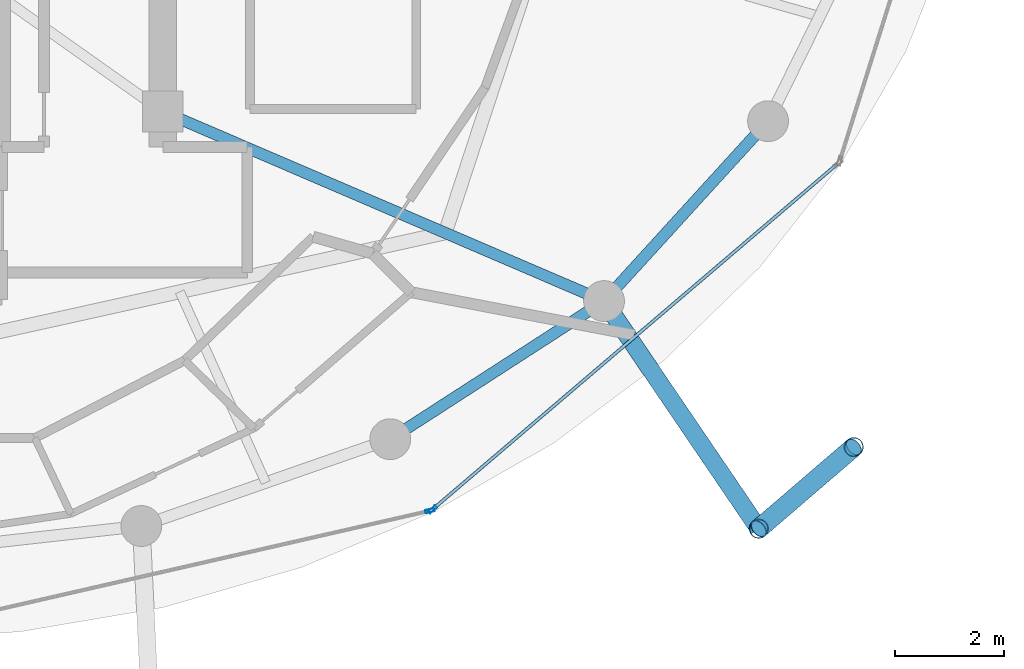
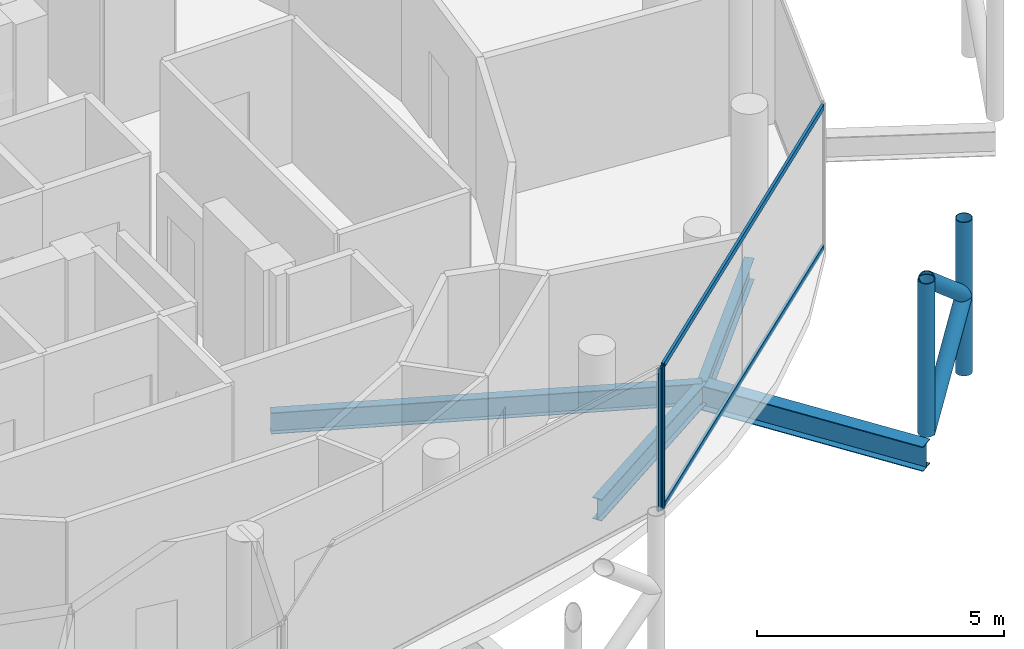
# One storey, part 9 of 24: 8 members, 4 beams, 2 elements without a shape of their own.
"""IFC4 building model written with IfcOpenShell, lengths in metres."""

import ifcopenshell
import ifcopenshell.guid

model = None  # the IFC model being written
_history = None  # IfcOwnerHistory: only IFC2X3 demands one
_inside = {}  # id of a spatial element -> (the spatial element, [elements in it])
_under = {}  # id of a project, library or spatial element -> (it, [spatial elements below it])
_declared = {}  # id of a project -> (the project, [libraries it declares])
_typed = {}  # id of a type object -> (the type object, [elements of that type])
_made_of = {}  # id of a material, layer set ... -> (it, [elements and type objects made of it])


def new_model(schema):
    """Start an empty IFC model of exactly this schema.

    Asked for "IFC4X3", IfcOpenShell would pick the latest addendum, in which some entities
    have other attributes; the version numbers below select the first issue.
    IFC2X3 requires an IfcOwnerHistory on every rooted entity: one is made here for all.
    """
    global model, _history
    if schema == "IFC4X3":
        model = ifcopenshell.file(schema_version=(4, 3, 0, 0))
    else:
        model = ifcopenshell.file(schema=schema)
    _inside.clear()
    _under.clear()
    _declared.clear()
    _typed.clear()
    _made_of.clear()
    _history = None
    if model.schema == "IFC2X3":
        org = make("IfcOrganization", Name="unknown")
        user = make(
            "IfcPersonAndOrganization",
            ThePerson=make("IfcPerson", FamilyName="unknown"),
            TheOrganization=org,
        )
        app = make(
            "IfcApplication",
            ApplicationDeveloper=org,
            Version="unknown",
            ApplicationFullName="unknown",
            ApplicationIdentifier="unknown",
        )
        _history = make(
            "IfcOwnerHistory",
            OwningUser=user,
            OwningApplication=app,
            ChangeAction="ADDED",
            CreationDate=0,
        )
    return model


def make(cls, **values):
    """One entity of the class cls with the attributes given. An attribute that is None is left unset."""
    return model.create_entity(
        cls, **{name: value for name, value in values.items() if value is not None}
    )


def rooted(cls, **values):
    """An entity with a GlobalId (a new one), such as an element, a storey or a relation."""
    return make(cls, GlobalId=ifcopenshell.guid.new(), OwnerHistory=_history, **values)


def si_unit(unit_type, name, prefix=None):
    """IfcSIUnit, for example si_unit("LENGTHUNIT", "METRE", prefix="MILLI")."""
    return make("IfcSIUnit", UnitType=unit_type, Prefix=prefix, Name=name)


def assignment(units):
    """IfcUnitAssignment: the units of a project."""
    return None if units is None else make("IfcUnitAssignment", Units=units)


def point(xyz):
    """IfcCartesianPoint."""
    return None if xyz is None else make("IfcCartesianPoint", Coordinates=xyz)


def direction(xyz):
    """IfcDirection."""
    return None if xyz is None else make("IfcDirection", DirectionRatios=xyz)


def frame(location, z_axis=None, x_axis=None):
    """IfcAxis2Placement3D, a coordinate frame: its origin and axes. An axis left out is left unset."""
    return make(
        "IfcAxis2Placement3D",
        Location=point(location),
        Axis=direction(z_axis),
        RefDirection=direction(x_axis),
    )


def frame_2d(location, x_axis=None):
    """IfcAxis2Placement2D, a coordinate frame in the plane: its origin and x axis."""
    return make(
        "IfcAxis2Placement2D", Location=point(location), RefDirection=direction(x_axis)
    )


def origin():
    """The frame at (0, 0, 0) with its axes left unset."""
    return frame((0.0, 0.0, 0.0))


def origin_2d():
    """The frame at (0, 0) in the plane with its x axis left unset."""
    return frame_2d((0.0, 0.0))


def place(relative_to, where):
    """IfcLocalPlacement: puts the frame where relative to a parent placement (None: the world)."""
    return make(
        "IfcLocalPlacement", PlacementRelTo=relative_to, RelativePlacement=where
    )


def context(
    kind, dimensions, precision=None, world=None, true_north=None, identifier=None
):
    """IfcGeometricRepresentationContext, for example the 3D "Model" context."""
    return make(
        "IfcGeometricRepresentationContext",
        ContextIdentifier=identifier,
        ContextType=kind,
        CoordinateSpaceDimension=dimensions,
        Precision=precision,
        WorldCoordinateSystem=world,
        TrueNorth=true_north,
    )


def subcontext(parent, identifier, kind, view, scale=None):
    """IfcGeometricRepresentationSubContext, for example "Body" below "Model"."""
    return make(
        "IfcGeometricRepresentationSubContext",
        ContextIdentifier=identifier,
        ContextType=kind,
        ParentContext=parent,
        TargetScale=scale,
        TargetView=view,
    )


def project(units=None, contexts=None):
    """IfcProject with its units and contexts."""
    return rooted(
        "IfcProject",
        Name="project",
        RepresentationContexts=contexts,
        UnitsInContext=assignment(units),
    )


def spatial(cls, under=None, at=None, **own):
    """A site, building, storey or space (cls), placed at a placement, below another one or the project."""
    s = rooted(cls, ObjectPlacement=at, **own)
    if under is not None:
        _under.setdefault(under.id(), (under, []))[1].append(s)
    return s


def profile(cls, at=None, kind="AREA", **sizes):
    """A parametric profile (cls). Its sizes go by their IFC names, for example OverallWidth=200.0."""
    return make(cls, ProfileType=kind, Position=at, **sizes)


def hollow_rectangle(**sizes):
    """IfcRectangleHollowProfileDef."""
    return profile("IfcRectangleHollowProfileDef", **sizes)


def hollow_circle(**sizes):
    """IfcCircleHollowProfileDef."""
    return profile("IfcCircleHollowProfileDef", **sizes)


def i_section(**sizes):
    """IfcIShapeProfileDef."""
    return profile("IfcIShapeProfileDef", **sizes)


def extrude(swept, where, along, depth):
    """IfcExtrudedAreaSolid: the profile swept, set in the frame where, extruded along a direction by depth."""
    return make(
        "IfcExtrudedAreaSolid",
        SweptArea=swept,
        Position=where,
        ExtrudedDirection=direction(along),
        Depth=depth,
    )


def shape(context_of_items, identifier, shape_type, items):
    """IfcShapeRepresentation: the items that make up one representation, for example the "Body"."""
    return make(
        "IfcShapeRepresentation",
        ContextOfItems=context_of_items,
        RepresentationIdentifier=identifier,
        RepresentationType=shape_type,
        Items=items,
    )


def material(Name=None, Category=None):
    """IfcMaterial."""
    return make("IfcMaterial", Name=Name, Category=Category)


def layer(
    of_material, thickness, ventilated=None, Name=None, Category=None, Priority=None
):
    """IfcMaterialLayer: one layer of a wall or slab, of a material (None: an air gap)."""
    return make(
        "IfcMaterialLayer",
        Material=of_material,
        LayerThickness=thickness,
        IsVentilated=ventilated,
        Name=Name,
        Category=Category,
        Priority=Priority,
    )


def layer_set(layers, Name=None):
    """IfcMaterialLayerSet."""
    return make("IfcMaterialLayerSet", MaterialLayers=layers, LayerSetName=Name)


def material_profile(
    of_material, cross_section, Name=None, Category=None, Priority=None
):
    """IfcMaterialProfile: a cross section and its material."""
    return make(
        "IfcMaterialProfile",
        Name=Name,
        Material=of_material,
        Profile=cross_section,
        Priority=Priority,
        Category=Category,
    )


def profile_set(profiles, Name=None, composite=None):
    """IfcMaterialProfileSet."""
    return make(
        "IfcMaterialProfileSet",
        Name=Name,
        MaterialProfiles=profiles,
        CompositeProfile=composite,
    )


def made_of(thing, what):
    """Note that an element or type object is made of a material, layer set ...; save() writes the relation."""
    if what is not None:
        _made_of.setdefault(what.id(), (what, []))[1].append(thing)
    return thing


def type_object(cls, material=None, **own):
    """A type object (cls), such as IfcWallType, which elements share."""
    return made_of(rooted(cls, **own), material)


def element(
    cls,
    number,
    at=None,
    inside=None,
    cuts=None,
    type_object=None,
    material=None,
    context=None,
    identifier="Body",
    shape_type=None,
    held_by="IfcProductDefinitionShape",
    body=None,
    shapes=None,
    **own,
):
    """One element of the class cls, such as IfcWall. Its Tag is "e" and its number.

    at: its placement. inside: the storey or other place that contains it. cuts: it is an
    opening in that element (IfcRelVoidsElement). A single representation is given by context,
    identifier, shape_type and body (its items); several are given by shapes. held_by: the class
    of the entity that holds the representations. save() writes the other relations.
    """
    e = rooted(cls, Tag="e%d" % number, ObjectPlacement=at, **own)
    if body is not None:
        shapes = [shape(context, identifier, shape_type, body)]
    if shapes is not None:
        e.Representation = make(held_by, Representations=shapes)
    if inside is not None:
        _inside.setdefault(inside.id(), (inside, []))[1].append(e)
    if cuts is not None:
        rooted(
            "IfcRelVoidsElement", RelatingBuildingElement=cuts, RelatedOpeningElement=e
        )
    if type_object is not None:
        _typed.setdefault(type_object.id(), (type_object, []))[1].append(e)
    return made_of(e, material)


def aggregate(whole, parts):
    """IfcRelAggregates: a whole, such as a stair, and the parts it consists of."""
    return rooted("IfcRelAggregates", RelatingObject=whole, RelatedObjects=parts)


def save(model, path):
    """Write the relations noted so far, then the file.

    IfcRelAggregates (storeys below a building ...), IfcRelContainedInSpatialStructure (elements
    in a storey), IfcRelDefinesByType, IfcRelAssociatesMaterial and IfcRelDeclares: one each for
    every whole, place, type object, material and project.
    """
    for whole, parts in _under.values():
        aggregate(whole, parts)
    for where, things in _inside.values():
        rooted(
            "IfcRelContainedInSpatialStructure",
            RelatedElements=things,
            RelatingStructure=where,
        )
    for kind, things in _typed.values():
        rooted("IfcRelDefinesByType", RelatedObjects=things, RelatingType=kind)
    for what, things in _made_of.values():
        rooted("IfcRelAssociatesMaterial", RelatedObjects=things, RelatingMaterial=what)
    for by, libraries in _declared.values():
        rooted("IfcRelDeclares", RelatingContext=by, RelatedDefinitions=libraries)
    model.write(path)


model = new_model("IFC4")

# Units and contexts
model_context = context("Model", 3, precision=1e-05, world=origin(), true_north=direction((0.0, 1.0)))
body_context = subcontext(model_context, "Body", "Model", "MODEL_VIEW")
ifc_project = project(units=[si_unit("LENGTHUNIT", "METRE"), si_unit("AREAUNIT", "SQUARE_METRE"), si_unit("VOLUMEUNIT", "CUBIC_METRE"), si_unit("PLANEANGLEUNIT", "RADIAN"), si_unit("MASSUNIT", "GRAM", prefix="KILO")], contexts=[model_context])

# Site, building, storey
site_placement = place(None, origin())
site = spatial("IfcSite", under=ifc_project, at=site_placement, CompositionType="ELEMENT")
building_placement = place(site_placement, origin())
building = spatial("IfcBuilding", under=site, at=building_placement, Name="Nuhasar Tower", CompositionType="ELEMENT")
storey_placement = place(building_placement, frame((0.0, 0.0, 278.39990234375)))
storey = spatial("IfcBuildingStorey", under=building, at=storey_placement, Name="L69", CompositionType="ELEMENT", Elevation=278.39990234375)

# Beams
ifc_material_1 = material(Name="Steel S355", Category="steel")
ifc_material_profile_1 = material_profile(ifc_material_1, i_section(OverallWidth=0.208984375, OverallDepth=0.528076171875, WebThickness=0.009521484375, FlangeThickness=0.01318359375, at=origin_2d()), Name="W21X55")
ifc_profile_set_1 = profile_set([ifc_material_profile_1], Name="Steel S355")
beam_type_1 = type_object("IfcBeamType", Name="BM-RAD-W21X55", PredefinedType="BEAM", material=ifc_profile_set_1)
beam_1_placement = place(storey_placement, frame((44.300048828125, 19.0, -0.52392578125), z_axis=(0.91887119061, -0.394557644797, 0.0), x_axis=(0.394557644797, 0.91887119061, 0.0)))
element("IfcBeam", 1, at=beam_1_placement, inside=storey, type_object=beam_type_1, Name="L69 Radial Floor Girder 03", PredefinedType="BEAM", context=body_context, shape_type="SweptSolid", body=[
    extrude(i_section(OverallWidth=0.208984375, OverallDepth=0.528076171875, WebThickness=0.009521484375, FlangeThickness=0.01318359375, at=origin_2d()), origin(), (0.0, 0.0, 1.0), 8.81494140625),
])
ifc_material_profile_2 = material_profile(ifc_material_1, i_section(OverallWidth=0.2099609375, OverallDepth=0.537109375, WebThickness=0.010986328125, FlangeThickness=0.017333984375, at=origin_2d()), Name="W21X68")
ifc_profile_set_2 = profile_set([ifc_material_profile_2], Name="Steel S355")
beam_type_2 = type_object("IfcBeamType", Name="BM-RING-W21X68", PredefinedType="SPANDREL", material=ifc_profile_set_2)
beam_2_placement = place(storey_placement, frame((48.47509765625, 12.987060546875, -0.52880859375), z_axis=(0.840025485934, 0.542546940809, 0.0), x_axis=(-0.542546940809, 0.840025485934, 0.0)))
element("IfcBeam", 2, at=beam_2_placement, inside=storey, type_object=beam_type_2, Name="L69 Perimeter Ring Spandrel 21", PredefinedType="SPANDREL", context=body_context, shape_type="SweptSolid", body=[
    extrude(i_section(OverallWidth=0.2099609375, OverallDepth=0.537109375, WebThickness=0.010986328125, FlangeThickness=0.017333984375, at=origin_2d()), origin(), (0.0, 0.0, 1.0), 4.67236328125),
])
beam_3_placement = place(storey_placement, frame((52.39990234375, 15.52197265625, -0.52880859375), z_axis=(0.673686302939, 0.739017432293, 0.0), x_axis=(-0.739017432293, 0.673686302939, 0.0)))
element("IfcBeam", 3, at=beam_3_placement, inside=storey, type_object=beam_type_2, Name="L69 Perimeter Ring Spandrel 22", PredefinedType="SPANDREL", context=body_context, shape_type="SweptSolid", body=[
    extrude(i_section(OverallWidth=0.2099609375, OverallDepth=0.537109375, WebThickness=0.010986328125, FlangeThickness=0.017333984375, at=origin_2d()), origin(), (0.0, 0.0, 1.0), 4.469482421875),
])
ifc_material_profile_3 = material_profile(ifc_material_1, i_section(OverallWidth=0.323974609375, OverallDepth=0.611083984375, WebThickness=0.0126953125, FlangeThickness=0.01904296875, at=origin_2d()), Name="W24X104")
ifc_profile_set_3 = profile_set([ifc_material_profile_3], Name="Steel S355")
beam_type_3 = type_object("IfcBeamType", Name="BM-TIE-W24X104", PredefinedType="BEAM", material=ifc_profile_set_3)
beam_4_placement = place(storey_placement, frame((52.39990234375, 15.52197265625, -0.56591796875), z_axis=(0.562093254487, -0.827073862034, 0.0), x_axis=(0.827073862034, 0.562093254487, 0.0)))
element("IfcBeam", 4, at=beam_4_placement, inside=storey, type_object=beam_type_3, Name="L69 Exoskeleton Node Tie Beam 11", PredefinedType="BEAM", context=body_context, shape_type="SweptSolid", body=[
    extrude(i_section(OverallWidth=0.323974609375, OverallDepth=0.611083984375, WebThickness=0.0126953125, FlangeThickness=0.01904296875, at=origin_2d()), origin(), (0.0, 0.0, 1.0), 5.052734375),
])

# Curtain wall, member
ifc_material_2 = material(Name="Aluminium 6063-T6", Category="aluminium")
ifc_layer = layer(ifc_material_2, 0.18994140625)
ifc_layer_set = layer_set([ifc_layer], Name="Aluminium 6063-T6")
curtain_wall_type = type_object("IfcCurtainWallType", Name="CW-Z4-PEN", PredefinedType="NOTDEFINED", material=ifc_layer_set)
curtain_wall_1_placement = place(storey_placement, origin())
curtain_wall_1 = element("IfcCurtainWall", 5, at=curtain_wall_1_placement, inside=storey, type_object=curtain_wall_type, Name="L69 Unitised Curtain Wall 10", PredefinedType="NOTDEFINED")
ifc_material_profile_4 = material_profile(ifc_material_2, hollow_rectangle(XDim=0.06005859375, YDim=0.1650390625, WallThickness=0.0048828125, at=origin_2d()), Name="CWM-5")
ifc_profile_set_4 = profile_set([ifc_material_profile_4], Name="Aluminium 6063-T6")
member_type_1 = type_object("IfcMemberType", Name="CW-MUL-S5", PredefinedType="MULLION", material=ifc_profile_set_4)
member_1_placement = place(storey_placement, frame((49.20068359375, 11.67236328125, 0.0), z_axis=(0.0, 0.0, 1.0), x_axis=(-0.222889487645, 0.97484371891, 0.0)))
member_1 = element("IfcMember", 6, at=member_1_placement, type_object=member_type_1, Name="CW-Z4 mullion 2", PredefinedType="MULLION", context=body_context, shape_type="SweptSolid", body=[
    extrude(hollow_rectangle(XDim=0.06005859375, YDim=0.1650390625, WallThickness=0.0048828125, at=origin_2d()), origin(), (0.0, 0.0, 1.0), 3.5400390625),
])
aggregate(curtain_wall_1, [member_1])

# Curtain wall, members
curtain_wall_2_placement = place(storey_placement, origin())
curtain_wall_2 = element("IfcCurtainWall", 7, at=curtain_wall_2_placement, inside=storey, type_object=curtain_wall_type, Name="L69 Unitised Curtain Wall 11", PredefinedType="NOTDEFINED")
member_2_placement = place(storey_placement, frame((49.2529296875, 11.698486328125, 0.0), z_axis=(0.0, 0.0, 1.0), x_axis=(-0.649141996205, 0.760667252327, 0.0)))
member_2 = element("IfcMember", 8, at=member_2_placement, type_object=member_type_1, Name="CW-Z4 mullion 1", PredefinedType="MULLION", context=body_context, shape_type="SweptSolid", body=[
    extrude(hollow_rectangle(XDim=0.06005859375, YDim=0.1650390625, WallThickness=0.0048828125, at=origin_2d()), origin(), (0.0, 0.0, 1.0), 3.5400390625),
])
ifc_material_profile_5 = material_profile(ifc_material_2, hollow_rectangle(XDim=0.06005859375, YDim=0.135009765625, WallThickness=0.00439453125, at=origin_2d()), Name="CWT-5")
ifc_profile_set_5 = profile_set([ifc_material_profile_5], Name="Aluminium 6063-T6")
member_type_2 = type_object("IfcMemberType", Name="CW-TRN-S5", PredefinedType="USERDEFINED", material=ifc_profile_set_5)
member_3_placement = place(storey_placement, frame((49.275634765625, 11.718017578125, 0.030029296875), z_axis=(0.760672431431, 0.649135927261, 0.0), x_axis=(-0.649135927261, 0.760672431431, 0.0)))
member_3 = element("IfcMember", 9, at=member_3_placement, type_object=member_type_2, Name="CW-Z4 transom 1.1", ObjectType="TRANSOM", PredefinedType="USERDEFINED", context=body_context, shape_type="SweptSolid", body=[
    extrude(hollow_rectangle(XDim=0.06005859375, YDim=0.135009765625, WallThickness=0.00439453125, at=origin_2d()), origin(), (0.0, 0.0, 1.0), 9.72509765625),
])
member_4_placement = place(storey_placement, frame((49.275634765625, 11.718017578125, 3.510009765625), z_axis=(0.760672431431, 0.649135927261, 0.0), x_axis=(-0.649135927261, 0.760672431431, 0.0)))
member_4 = element("IfcMember", 10, at=member_4_placement, type_object=member_type_2, Name="CW-Z4 transom 1.2", ObjectType="TRANSOM", PredefinedType="USERDEFINED", context=body_context, shape_type="SweptSolid", body=[
    extrude(hollow_rectangle(XDim=0.06005859375, YDim=0.135009765625, WallThickness=0.00439453125, at=origin_2d()), origin(), (0.0, 0.0, 1.0), 9.72509765625),
])
aggregate(curtain_wall_2, [member_2, member_3, member_4])

# Members
ifc_material_3 = material(Name="Steel S460", Category="steel")
ifc_material_profile_6 = material_profile(ifc_material_3, hollow_circle(Radius=0.177734375, WallThickness=0.015869140625, at=origin_2d()), Name="HSS355.6X15.9")
ifc_profile_set_6 = profile_set([ifc_material_profile_6], Name="Steel S460")
member_type_3 = type_object("IfcMemberType", Name="EXO-BRONZE-356", PredefinedType="BRACE", material=ifc_profile_set_6)
for number, where, z_axis, x_axis, name in (
    (11, (55.239990234375, 11.343017578125, 0.0), (0.0, 0.0, 1.0), (1.0, 0.0, 0.0), "L69 Exoskeleton Chord Column EC-11A"),
    (12, (56.98388671875, 12.842041015625, 0.0), (0.0, 0.0, 1.0), (1.0, 0.0, 0.0), "L69 Exoskeleton Chord Column EC-11B"),
):
    element("IfcMember", number, at=place(storey_placement, frame(where, z_axis=z_axis, x_axis=x_axis)), inside=storey, type_object=member_type_3, Name=name, PredefinedType="BRACE", context=body_context, shape_type="SweptSolid", body=[
        extrude(hollow_circle(Radius=0.177734375, WallThickness=0.015869140625, at=origin_2d()), origin(), (0.0, 0.0, 1.0), 3.800048828125),
    ])
member_5_placement = place(storey_placement, frame((55.239990234375, 11.343017578125, 0.0), z_axis=(0.584594747408, 0.50250759472, 0.636973389203), x_axis=(-0.65185738425, 0.758341579104, 0.0)))
element("IfcMember", 13, at=member_5_placement, inside=storey, type_object=member_type_3, Name="L69 Bronze Diagrid Brace W1-11", PredefinedType="BRACE", context=body_context, shape_type="SweptSolid", body=[
    extrude(hollow_circle(Radius=0.177734375, WallThickness=0.015869140625, at=origin_2d()), origin(), (0.0, 0.0, 1.0), 2.983154296875),
])
member_6_placement = place(storey_placement, frame((56.98388671875, 12.842041015625, 1.900146484375), z_axis=(-0.584625223306, -0.502533791278, 0.636924749792), x_axis=(0.65185738425, -0.758341579104, 0.0)))
element("IfcMember", 14, at=member_6_placement, inside=storey, type_object=member_type_3, Name="L69 Bronze Diagrid Brace W2-11", PredefinedType="BRACE", context=body_context, shape_type="SweptSolid", body=[
    extrude(hollow_circle(Radius=0.177734375, WallThickness=0.015869140625, at=origin_2d()), origin(), (0.0, 0.0, 1.0), 2.98291015625),
])

save(model, "model.ifc")
